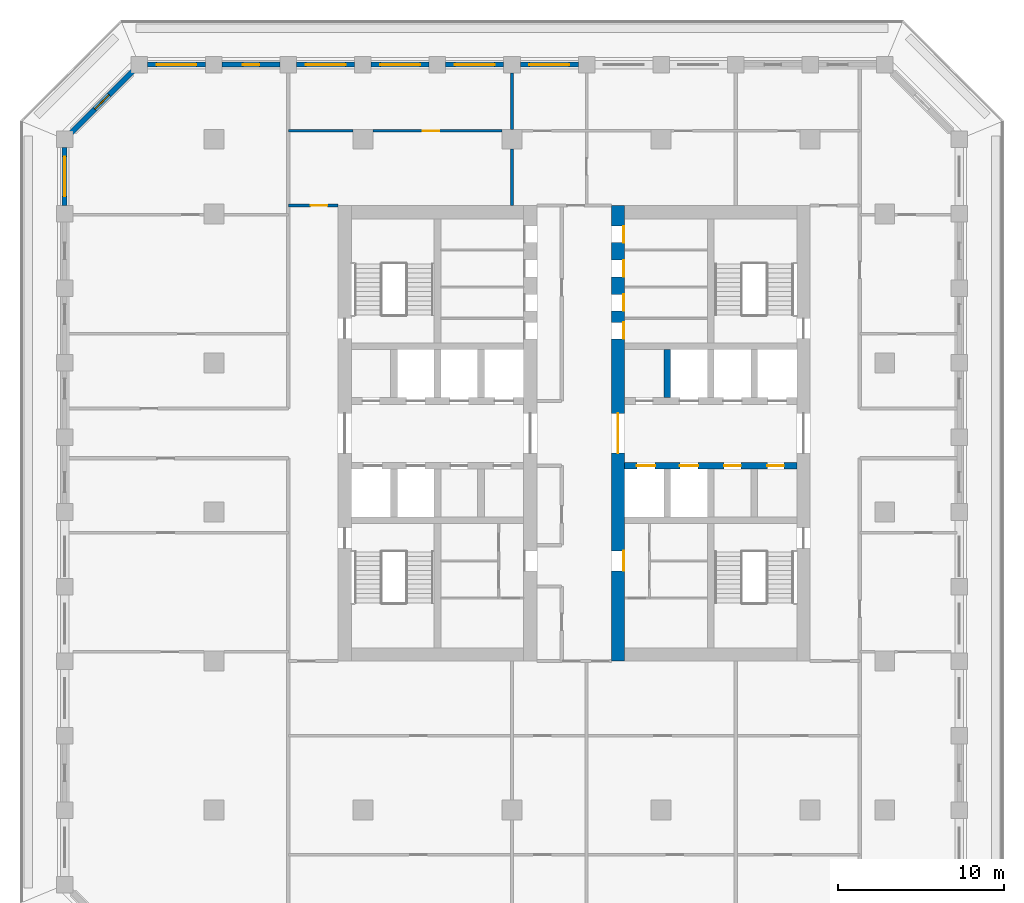
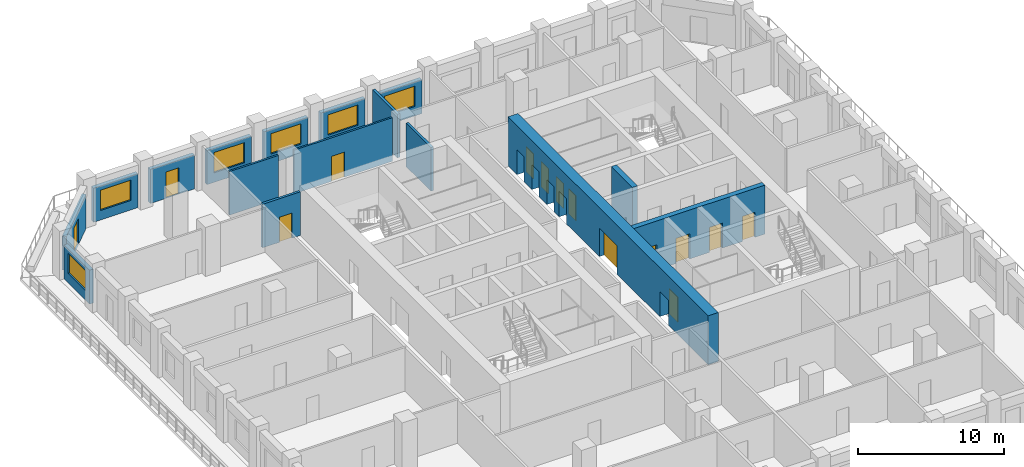
# One storey, part 6 of 16: 16 walls, 14 doors, 6 windows, 20 openings.
"""IFC4 building model written with IfcOpenShell, lengths in metres."""

from ifc_helpers import new_model, si_unit, direction, frame, frame_2d, origin, place, context, subcontext, project, spatial, rectangle, extrude, material, layer, layer_set, type_object, element, fill, save


model = new_model("IFC4")

# Units and contexts
model_context = context("Model", 3, precision=1e-05, world=origin(), true_north=direction((0.0, 1.0)))
body_context = subcontext(model_context, "Body", "Model", "MODEL_VIEW")
ifc_project = project(units=[si_unit("LENGTHUNIT", "METRE"), si_unit("AREAUNIT", "SQUARE_METRE"), si_unit("VOLUMEUNIT", "CUBIC_METRE"), si_unit("PLANEANGLEUNIT", "RADIAN"), si_unit("MASSUNIT", "GRAM", prefix="KILO")], contexts=[model_context])

# Site, building, storey
site_placement = place(None, origin())
site = spatial("IfcSite", under=ifc_project, at=site_placement, CompositionType="ELEMENT")
building_placement = place(site_placement, origin())
building = spatial("IfcBuilding", under=site, at=building_placement, Name="Corbel Stack Research Tower", CompositionType="ELEMENT")
storey_placement = place(building_placement, frame((0.0, 0.0, 160.89990234375)))
storey = spatial("IfcBuildingStorey", under=building, at=storey_placement, Name="L36", CompositionType="ELEMENT", Elevation=160.89990234375)

# Wall, openings, doors
ifc_material_1 = material(Name="Concrete C60/75", Category="concrete")
ifc_layer_1 = layer(ifc_material_1, 0.39990234375)
ifc_layer_set_1 = layer_set([ifc_layer_1], Name="Concrete C60/75")
wall_type_1 = type_object("IfcWallType", Name="CW-400-60", PredefinedType="SHEAR", material=ifc_layer_set_1)
wall_1_placement = place(storey_placement, frame((6.800048828125, 2.800048828125, 0.0), z_axis=(0.0, 0.0, 1.0), x_axis=(1.0, 0.0, 0.0)))
wall_1 = element("IfcWall", 1, at=wall_1_placement, inside=storey, type_object=wall_type_1, Name="East core wall, lobby south L36", PredefinedType="SHEAR", context=body_context, shape_type="SweptSolid", body=[
    extrude(rectangle(XDim=10.39990234375, YDim=0.39990234375, at=frame_2d((5.199951171875, 0.0))), origin(), (0.0, 0.0, 1.0), 4.10009765625),
])
opening_1_placement = place(wall_1_placement, frame((0.737548828125, 0.0, 0.0)))
opening_1 = element("IfcOpeningElement", 2, at=opening_1_placement, cuts=wall_1, Name="Opening LD-FS2", PredefinedType="OPENING", context=body_context, shape_type="SweptSolid", body=[
    extrude(rectangle(XDim=1.10009765625, YDim=2.10009765625, at=frame_2d((0.550048828125, 1.050048828125))), frame((0.0, 0.2099609375, 0.0), z_axis=(0.0, -1.0, 0.0), x_axis=(1.0, 0.0, 0.0)), (0.0, 0.0, 1.0), 0.419921875),
])
opening_2_placement = place(wall_1_placement, frame((3.33740234375, 0.0, 0.0)))
opening_2 = element("IfcOpeningElement", 3, at=opening_2_placement, cuts=wall_1, Name="Opening LD-GL2", PredefinedType="OPENING", context=body_context, shape_type="SweptSolid", body=[
    extrude(rectangle(XDim=1.10009765625, YDim=2.10009765625, at=frame_2d((0.550048828125, 1.050048828125))), frame((0.0, 0.2099609375, 0.0), z_axis=(0.0, -1.0, 0.0), x_axis=(1.0, 0.0, 0.0)), (0.0, 0.0, 1.0), 0.419921875),
])
opening_3_placement = place(wall_1_placement, frame((6.012451171875, 0.0, 0.0)))
opening_3 = element("IfcOpeningElement", 4, at=opening_3_placement, cuts=wall_1, Name="Opening CR-E66-S3", PredefinedType="OPENING", context=body_context, shape_type="SweptSolid", body=[
    extrude(rectangle(XDim=1.0, YDim=2.10009765625, at=frame_2d((0.5, 1.050048828125))), frame((0.0, 0.2099609375, 0.0), z_axis=(0.0, -1.0, 0.0), x_axis=(1.0, 0.0, 0.0)), (0.0, 0.0, 1.0), 0.419921875),
])
opening_4_placement = place(wall_1_placement, frame((8.612548828125, 0.0, 0.0)))
opening_4 = element("IfcOpeningElement", 5, at=opening_4_placement, cuts=wall_1, Name="Opening CR-E66-S4", PredefinedType="OPENING", context=body_context, shape_type="SweptSolid", body=[
    extrude(rectangle(XDim=1.0, YDim=2.10009765625, at=frame_2d((0.5, 1.050048828125))), frame((0.0, 0.2099609375, 0.0), z_axis=(0.0, -1.0, 0.0), x_axis=(1.0, 0.0, 0.0)), (0.0, 0.0, 1.0), 0.419921875),
])
ifc_material_2 = material(Name="Stainless steel landing door", Category="steel")
door_type_1 = type_object("IfcDoorType", Name="Lift landing door 1100 x 2100", OperationType="DOUBLE_DOOR_SLIDING", PredefinedType="DOOR", material=ifc_material_2)
door_1_placement = place(opening_1_placement, origin())
door_1 = element("IfcDoor", 6, at=door_1_placement, inside=storey, type_object=door_type_1, Name="Landing door FS2", OperationType="DOUBLE_DOOR_SLIDING", OverallHeight=2.10009765625, OverallWidth=1.10009765625, PredefinedType="DOOR", context=body_context, shape_type="SweptSolid", body=[
    extrude(rectangle(XDim=1.10009765625, YDim=2.10009765625, at=frame_2d((0.550048828125, 1.050048828125))), frame((0.0, 0.02490234375, 0.0), z_axis=(0.0, -1.0, 0.0), x_axis=(1.0, 0.0, 0.0)), (0.0, 0.0, 1.0), 0.050048828125),
])
fill(opening_1, door_1)
door_2_placement = place(opening_2_placement, origin())
door_2 = element("IfcDoor", 7, at=door_2_placement, inside=storey, type_object=door_type_1, Name="Landing door GL2", OperationType="DOUBLE_DOOR_SLIDING", OverallHeight=2.10009765625, OverallWidth=1.10009765625, PredefinedType="DOOR", context=body_context, shape_type="SweptSolid", body=[
    extrude(rectangle(XDim=1.10009765625, YDim=2.10009765625, at=frame_2d((0.550048828125, 1.050048828125))), frame((0.0, 0.02490234375, 0.0), z_axis=(0.0, -1.0, 0.0), x_axis=(1.0, 0.0, 0.0)), (0.0, 0.0, 1.0), 0.050048828125),
])
fill(opening_2, door_2)
ifc_material_3 = material(Name="Painted steel door", Category="steel")
door_type_2 = type_object("IfcDoorType", Name="Service door 1000 x 2100 FD60 left hand", OperationType="SINGLE_SWING_LEFT", PredefinedType="DOOR", material=ifc_material_3)
door_3_placement = place(opening_3_placement, origin())
door_3 = element("IfcDoor", 8, at=door_3_placement, inside=storey, type_object=door_type_2, Name="Vending bay door E core", OperationType="SINGLE_SWING_LEFT", OverallHeight=2.10009765625, OverallWidth=1.0, PredefinedType="DOOR", context=body_context, shape_type="SweptSolid", body=[
    extrude(rectangle(XDim=1.0, YDim=2.10009765625, at=frame_2d((0.5, 1.050048828125))), frame((0.0, 0.02490234375, 0.0), z_axis=(0.0, -1.0, 0.0), x_axis=(1.0, 0.0, 0.0)), (0.0, 0.0, 1.0), 0.050048828125),
])
fill(opening_3, door_3)
ifc_material_4 = material(Name="Painted steel door", Category="steel")
door_type_3 = type_object("IfcDoorType", Name="Service door 1000 x 2100 FD60 right hand", OperationType="SINGLE_SWING_RIGHT", PredefinedType="DOOR", material=ifc_material_4)
door_4_placement = place(opening_4_placement, origin())
door_4 = element("IfcDoor", 9, at=door_4_placement, inside=storey, type_object=door_type_3, Name="Mechanical room door E core", OperationType="SINGLE_SWING_RIGHT", OverallHeight=2.10009765625, OverallWidth=1.0, PredefinedType="DOOR", context=body_context, shape_type="SweptSolid", body=[
    extrude(rectangle(XDim=1.0, YDim=2.10009765625, at=frame_2d((0.5, 1.050048828125))), frame((0.0, 0.02490234375, 0.0), z_axis=(0.0, -1.0, 0.0), x_axis=(1.0, 0.0, 0.0)), (0.0, 0.0, 1.0), 0.050048828125),
])
fill(opening_4, door_4)

# Wall
wall_2_placement = place(storey_placement, frame((9.375, 6.89990234375, 0.0), z_axis=(0.0, 0.0, 1.0), x_axis=(0.0, 1.0, 0.0)))
element("IfcWall", 10, at=wall_2_placement, inside=storey, type_object=wall_type_1, Name="East core wall, north shaft 1 L36", PredefinedType="SHEAR", context=body_context, shape_type="SweptSolid", body=[
    extrude(rectangle(XDim=2.900146484375, YDim=0.39990234375, at=frame_2d((1.4501953125, 0.0))), origin(), (0.0, 0.0, 1.0), 4.10009765625),
])

# Wall, openings, doors
ifc_material_5 = material(Name="Concrete C60/75", Category="concrete")
ifc_layer_2 = layer(ifc_material_5, 0.800048828125)
ifc_layer_set_2 = layer_set([ifc_layer_2], Name="Concrete C60/75")
wall_type_2 = type_object("IfcWallType", Name="CW-800-60", PredefinedType="SHEAR", material=ifc_layer_set_2)
wall_3_placement = place(storey_placement, frame((6.39990234375, -9.0, 0.0), z_axis=(0.0, 0.0, 1.0), x_axis=(0.0, 1.0, 0.0)))
wall_3 = element("IfcWall", 11, at=wall_3_placement, inside=storey, type_object=wall_type_2, Name="East core wall, west face L36", PredefinedType="SHEAR", context=body_context, shape_type="SweptSolid", body=[
    extrude(rectangle(XDim=27.5, YDim=0.800048828125, at=frame_2d((13.75, 0.0))), origin(), (0.0, 0.0, 1.0), 4.10009765625),
])
opening_5_placement = place(wall_3_placement, frame((12.550048828125, 0.0, 0.0)))
opening_5 = element("IfcOpeningElement", 12, at=opening_5_placement, cuts=wall_3, Name="Opening CD-E-W", PredefinedType="OPENING", context=body_context, shape_type="SweptSolid", body=[
    extrude(rectangle(XDim=2.39990234375, YDim=2.39990234375, at=frame_2d((1.199951171875, 1.199951171875))), frame((0.0, 0.409912109375, 0.0), z_axis=(0.0, -1.0, 0.0), x_axis=(1.0, 0.0, 0.0)), (0.0, 0.0, 1.0), 0.820068359375),
])
opening_6_placement = place(wall_3_placement, frame((5.449951171875, 0.0, 0.0)))
opening_6 = element("IfcOpeningElement", 13, at=opening_6_placement, cuts=wall_3, Name="Opening CR-E66-W1-1200", PredefinedType="OPENING", context=body_context, shape_type="SweptSolid", body=[
    extrude(rectangle(XDim=1.199951171875, YDim=2.10009765625, at=frame_2d((0.60009765625, 1.050048828125))), frame((0.0, 0.409912109375, 0.0), z_axis=(0.0, -1.0, 0.0), x_axis=(1.0, 0.0, 0.0)), (0.0, 0.0, 1.0), 0.820068359375),
])
opening_7_placement = place(wall_3_placement, frame((19.449951171875, 0.0, 0.0)))
opening_7 = element("IfcOpeningElement", 14, at=opening_7_placement, cuts=wall_3, Name="Opening CR-E66-R1-1000", PredefinedType="OPENING", context=body_context, shape_type="SweptSolid", body=[
    extrude(rectangle(XDim=1.0, YDim=2.10009765625, at=frame_2d((0.5, 1.050048828125))), frame((0.0, 0.409912109375, 0.0), z_axis=(0.0, -1.0, 0.0), x_axis=(1.0, 0.0, 0.0)), (0.0, 0.0, 1.0), 0.820068359375),
])
opening_8_placement = place(wall_3_placement, frame((21.137451171875, 0.0, 0.0)))
opening_8 = element("IfcOpeningElement", 15, at=opening_8_placement, cuts=wall_3, Name="Opening CR-E66-R2-1000", PredefinedType="OPENING", context=body_context, shape_type="SweptSolid", body=[
    extrude(rectangle(XDim=1.0, YDim=2.10009765625, at=frame_2d((0.5, 1.050048828125))), frame((0.0, 0.409912109375, 0.0), z_axis=(0.0, -1.0, 0.0), x_axis=(1.0, 0.0, 0.0)), (0.0, 0.0, 1.0), 0.820068359375),
])
opening_9_placement = place(wall_3_placement, frame((23.199951171875, 0.0, 0.0)))
opening_9 = element("IfcOpeningElement", 16, at=opening_9_placement, cuts=wall_3, Name="Opening CR-E66-R3-1000", PredefinedType="OPENING", context=body_context, shape_type="SweptSolid", body=[
    extrude(rectangle(XDim=1.0, YDim=2.10009765625, at=frame_2d((0.5, 1.050048828125))), frame((0.0, 0.409912109375, 0.0), z_axis=(0.0, -1.0, 0.0), x_axis=(1.0, 0.0, 0.0)), (0.0, 0.0, 1.0), 0.820068359375),
])
opening_10_placement = place(wall_3_placement, frame((25.262451171875, 0.0, 0.0)))
opening_10 = element("IfcOpeningElement", 17, at=opening_10_placement, cuts=wall_3, Name="Opening CR-E66-R4-1000", PredefinedType="OPENING", context=body_context, shape_type="SweptSolid", body=[
    extrude(rectangle(XDim=1.0, YDim=2.10009765625, at=frame_2d((0.5, 1.050048828125))), frame((0.0, 0.409912109375, 0.0), z_axis=(0.0, -1.0, 0.0), x_axis=(1.0, 0.0, 0.0)), (0.0, 0.0, 1.0), 0.820068359375),
])
ifc_material_6 = material(Name="Painted steel fire door", Category="steel")
door_type_4 = type_object("IfcDoorType", Name="Lobby door pair 2400 x 2400 FD30S", OperationType="DOUBLE_DOOR_DOUBLE_SWING", PredefinedType="DOOR", material=ifc_material_6)
door_5_placement = place(opening_5_placement, origin())
door_5 = element("IfcDoor", 18, at=door_5_placement, inside=storey, type_object=door_type_4, Name="Lift lobby door E core W", OperationType="DOUBLE_DOOR_DOUBLE_SWING", OverallHeight=2.39990234375, OverallWidth=2.39990234375, PredefinedType="DOOR", context=body_context, shape_type="SweptSolid", body=[
    extrude(rectangle(XDim=2.39990234375, YDim=2.39990234375, at=frame_2d((1.199951171875, 1.199951171875))), frame((0.0, 0.02490234375, 0.0), z_axis=(0.0, -1.0, 0.0), x_axis=(1.0, 0.0, 0.0)), (0.0, 0.0, 1.0), 0.050048828125),
])
fill(opening_5, door_5)
ifc_material_7 = material(Name="Painted steel door", Category="steel")
door_type_5 = type_object("IfcDoorType", Name="Riser door 1000 x 2100 FD60 left hand", OperationType="SINGLE_SWING_LEFT", PredefinedType="DOOR", material=ifc_material_7)
door_6_placement = place(opening_8_placement, origin())
door_6 = element("IfcDoor", 19, at=door_6_placement, inside=storey, type_object=door_type_5, Name="Telecom room door E core", OperationType="SINGLE_SWING_LEFT", OverallHeight=2.10009765625, OverallWidth=1.0, PredefinedType="DOOR", context=body_context, shape_type="SweptSolid", body=[
    extrude(rectangle(XDim=1.0, YDim=2.10009765625, at=frame_2d((0.5, 1.050048828125))), frame((0.0, -0.3251953125, 0.0), z_axis=(0.0, -1.0, 0.0), x_axis=(1.0, 0.0, 0.0)), (0.0, 0.0, 1.0), 0.050048828125),
])
fill(opening_8, door_6)
ifc_material_8 = material(Name="Painted steel door", Category="steel")
door_type_6 = type_object("IfcDoorType", Name="Riser door 1000 x 2100 FD60 right hand", OperationType="SINGLE_SWING_RIGHT", PredefinedType="DOOR", material=ifc_material_8)
door_7_placement = place(opening_7_placement, origin())
door_7 = element("IfcDoor", 20, at=door_7_placement, inside=storey, type_object=door_type_6, Name="Electrical riser door E core", OperationType="SINGLE_SWING_RIGHT", OverallHeight=2.10009765625, OverallWidth=1.0, PredefinedType="DOOR", context=body_context, shape_type="SweptSolid", body=[
    extrude(rectangle(XDim=1.0, YDim=2.10009765625, at=frame_2d((0.5, 1.050048828125))), frame((0.0, -0.3251953125, 0.0), z_axis=(0.0, -1.0, 0.0), x_axis=(1.0, 0.0, 0.0)), (0.0, 0.0, 1.0), 0.050048828125),
])
fill(opening_7, door_7)
ifc_material_9 = material(Name="Painted steel door", Category="steel")
door_type_7 = type_object("IfcDoorType", Name="Service door 1000 x 2100 FD30 left hand", OperationType="SINGLE_SWING_LEFT", PredefinedType="DOOR", material=ifc_material_9)
door_8_placement = place(opening_10_placement, origin())
door_8 = element("IfcDoor", 21, at=door_8_placement, inside=storey, type_object=door_type_7, Name="Cleaner's store door E core", OperationType="SINGLE_SWING_LEFT", OverallHeight=2.10009765625, OverallWidth=1.0, PredefinedType="DOOR", context=body_context, shape_type="SweptSolid", body=[
    extrude(rectangle(XDim=1.0, YDim=2.10009765625, at=frame_2d((0.5, 1.050048828125))), frame((0.0, -0.3251953125, 0.0), z_axis=(0.0, -1.0, 0.0), x_axis=(1.0, 0.0, 0.0)), (0.0, 0.0, 1.0), 0.050048828125),
])
fill(opening_10, door_8)
ifc_material_10 = material(Name="Painted steel door", Category="steel")
door_type_8 = type_object("IfcDoorType", Name="Service door 1000 x 2100 FD30 right hand", OperationType="SINGLE_SWING_RIGHT", PredefinedType="DOOR", material=ifc_material_10)
door_9_placement = place(opening_9_placement, origin())
door_9 = element("IfcDoor", 22, at=door_9_placement, inside=storey, type_object=door_type_8, Name="Pantry door E core", OperationType="SINGLE_SWING_RIGHT", OverallHeight=2.10009765625, OverallWidth=1.0, PredefinedType="DOOR", context=body_context, shape_type="SweptSolid", body=[
    extrude(rectangle(XDim=1.0, YDim=2.10009765625, at=frame_2d((0.5, 1.050048828125))), frame((0.0, -0.3251953125, 0.0), z_axis=(0.0, -1.0, 0.0), x_axis=(1.0, 0.0, 0.0)), (0.0, 0.0, 1.0), 0.050048828125),
])
fill(opening_9, door_9)
ifc_material_11 = material(Name="Painted timber door", Category="wood")
door_type_9 = type_object("IfcDoorType", Name="WC door 1200 x 2100 right hand", OperationType="SINGLE_SWING_RIGHT", PredefinedType="DOOR", material=ifc_material_11)
door_10_placement = place(opening_6_placement, origin())
door_10 = element("IfcDoor", 23, at=door_10_placement, inside=storey, type_object=door_type_9, Name="WC lobby door E core", OperationType="SINGLE_SWING_RIGHT", OverallHeight=2.10009765625, OverallWidth=1.199951171875, PredefinedType="DOOR", context=body_context, shape_type="SweptSolid", body=[
    extrude(rectangle(XDim=1.199951171875, YDim=2.10009765625, at=frame_2d((0.60009765625, 1.050048828125))), frame((0.0, -0.3251953125, 0.0), z_axis=(0.0, -1.0, 0.0), x_axis=(1.0, 0.0, 0.0)), (0.0, 0.0, 1.0), 0.050048828125),
])
fill(opening_6, door_10)

# Walls
ifc_material_12 = material(Name="Fire-rated gypsum board partition on steel studs", Category="steel")
ifc_layer_3 = layer(ifc_material_12, 0.199951171875)
ifc_layer_set_3 = layer_set([ifc_layer_3], Name="Fire-rated gypsum board partition on steel studs")
wall_type_3 = type_object("IfcWallType", Name="Fire-rated partition 200 EI 60", PredefinedType="PARTITIONING", material=ifc_layer_set_3)
for number, where, z_axis, x_axis, name in (
    (24, (0.0, 18.5, 0.0), (0.0, 0.0, 1.0), (0.0, 1.0, 0.0), "Partition L36-005"),
    (25, (0.0, 23.10009765625, 0.0), (0.0, 0.0, 1.0), (0.0, 1.0, 0.0), "Partition L36-006"),
):
    element("IfcWall", number, at=place(storey_placement, frame(where, z_axis=z_axis, x_axis=x_axis)), inside=storey, type_object=wall_type_3, Name=name, PredefinedType="PARTITIONING", context=body_context, shape_type="SweptSolid", body=[
        extrude(rectangle(XDim=3.39990234375, YDim=0.199951171875, at=frame_2d((1.699951171875, 0.0))), origin(), (0.0, 0.0, 1.0), 3.650146484375),
    ])

# Wall, opening, door
wall_4_placement = place(storey_placement, frame((-13.5, 18.5, 0.0), z_axis=(0.0, 0.0, 1.0), x_axis=(1.0, 0.0, 0.0)))
wall_4 = element("IfcWall", 26, at=wall_4_placement, inside=storey, type_object=wall_type_3, Name="Partition L36-041", PredefinedType="PARTITIONING", context=body_context, shape_type="SweptSolid", body=[
    extrude(rectangle(XDim=3.0, YDim=0.199951171875, at=frame_2d((1.5, 0.0))), origin(), (0.0, 0.0, 1.0), 3.650146484375),
])
opening_11_placement = place(wall_4_placement, frame((1.35009765625, 0.0, 0.0)))
opening_11 = element("IfcOpeningElement", 27, at=opening_11_placement, cuts=wall_4, Name="Opening B5V0-027", PredefinedType="OPENING", context=body_context, shape_type="SweptSolid", body=[
    extrude(rectangle(XDim=1.0, YDim=2.10009765625, at=frame_2d((0.5, 1.050048828125))), frame((0.0, 0.10986328125, 0.0), z_axis=(0.0, -1.0, 0.0), x_axis=(1.0, 0.0, 0.0)), (0.0, 0.0, 1.0), 0.219970703125),
])
ifc_material_13 = material(Name="Painted steel fire door", Category="steel")
door_type_10 = type_object("IfcDoorType", Name="Fire door FD30S 1000 x 2100", OperationType="NOTDEFINED", PredefinedType="DOOR", material=ifc_material_13)
door_11_placement = place(opening_11_placement, origin())
door_11 = element("IfcDoor", 28, at=door_11_placement, inside=storey, type_object=door_type_10, Name="Door B5V0-027", OperationType="SINGLE_SWING_RIGHT", OverallHeight=2.10009765625, OverallWidth=1.0, PredefinedType="DOOR", context=body_context, shape_type="SweptSolid", body=[
    extrude(rectangle(XDim=1.0, YDim=2.10009765625, at=frame_2d((0.5, 1.050048828125))), frame((0.0, 0.02490234375, 0.0), z_axis=(0.0, -1.0, 0.0), x_axis=(1.0, 0.0, 0.0)), (0.0, 0.0, 1.0), 0.050048828125),
])
fill(opening_11, door_11)

# Wall
ifc_material_14 = material(Name="Gypsum board partition on steel studs", Category="steel")
ifc_layer_4 = layer(ifc_material_14, 0.14990234375)
ifc_layer_set_4 = layer_set([ifc_layer_4], Name="Gypsum board partition on steel studs")
wall_type_4 = type_object("IfcWallType", Name="Partition 150", PredefinedType="PARTITIONING", material=ifc_layer_set_4)
wall_5_placement = place(storey_placement, frame((-13.5, 23.0, 0.0), z_axis=(0.0, 0.0, 1.0), x_axis=(1.0, 0.0, 0.0)))
element("IfcWall", 29, at=wall_5_placement, inside=storey, type_object=wall_type_4, Name="Partition L36-044", PredefinedType="PARTITIONING", context=body_context, shape_type="SweptSolid", body=[
    extrude(rectangle(XDim=3.89990234375, YDim=0.14990234375, at=frame_2d((1.949951171875, 0.0))), origin(), (0.0, 0.0, 1.0), 3.650146484375),
])

# Wall, opening, door
wall_6_placement = place(storey_placement, frame((-8.39990234375, 23.0, 0.0), z_axis=(0.0, 0.0, 1.0), x_axis=(1.0, 0.0, 0.0)))
wall_6 = element("IfcWall", 30, at=wall_6_placement, inside=storey, type_object=wall_type_4, Name="Partition L36-045", PredefinedType="PARTITIONING", context=body_context, shape_type="SweptSolid", body=[
    extrude(rectangle(XDim=7.7998046875, YDim=0.14990234375, at=frame_2d((3.89990234375, 0.0))), origin(), (0.0, 0.0, 1.0), 3.650146484375),
])
opening_12_placement = place(wall_6_placement, frame((3.0, 0.0, 0.0)))
opening_12 = element("IfcOpeningElement", 31, at=opening_12_placement, cuts=wall_6, Name="Opening B5V0-032", PredefinedType="OPENING", context=body_context, shape_type="SweptSolid", body=[
    extrude(rectangle(XDim=1.0, YDim=2.10009765625, at=frame_2d((0.5, 1.050048828125))), frame((0.0, 0.0849609375, 0.0), z_axis=(0.0, -1.0, 0.0), x_axis=(1.0, 0.0, 0.0)), (0.0, 0.0, 1.0), 0.169921875),
])
ifc_material_15 = material(Name="Painted timber door", Category="wood")
door_type_11 = type_object("IfcDoorType", Name="Single door 1000 x 2100", OperationType="NOTDEFINED", PredefinedType="DOOR", material=ifc_material_15)
door_12_placement = place(opening_12_placement, origin())
door_12 = element("IfcDoor", 32, at=door_12_placement, inside=storey, type_object=door_type_11, Name="Door B5V0-032", OperationType="SINGLE_SWING_LEFT", OverallHeight=2.10009765625, OverallWidth=1.0, PredefinedType="DOOR", context=body_context, shape_type="SweptSolid", body=[
    extrude(rectangle(XDim=1.0, YDim=2.10009765625, at=frame_2d((0.5, 1.050048828125))), frame((0.0, 0.02490234375, 0.0), z_axis=(0.0, -1.0, 0.0), x_axis=(1.0, 0.0, 0.0)), (0.0, 0.0, 1.0), 0.050048828125),
])
fill(opening_12, door_12)

# Wall, opening, window
ifc_material_16 = material(Name="Concrete C45/55", Category="concrete")
ifc_layer_5 = layer(ifc_material_16, 0.300048828125)
ifc_layer_set_5 = layer_set([ifc_layer_5], Name="Concrete C45/55")
wall_type_5 = type_object("IfcWallType", Name="Terracotta-faced concrete wall 300", PredefinedType="SOLIDWALL", material=ifc_layer_set_5)
wall_7_placement = place(storey_placement, frame((0.5, 27.0, 0.0), z_axis=(0.0, 0.0, 1.0), x_axis=(1.0, 0.0, 0.0)))
wall_7 = element("IfcWall", 33, at=wall_7_placement, inside=storey, type_object=wall_type_5, Name="Facade wall L36 N05", PredefinedType="SOLIDWALL", context=body_context, shape_type="SweptSolid", body=[
    extrude(rectangle(XDim=3.5, YDim=0.300048828125, at=frame_2d((1.75, 0.0))), origin(), (0.0, 0.0, 1.0), 2.85009765625),
])
opening_13_placement = place(wall_7_placement, frame((0.550048828125, 0.0, 0.800048828125)))
opening_13 = element("IfcOpeningElement", 34, at=opening_13_placement, cuts=wall_7, Name="Opening W1", PredefinedType="OPENING", context=body_context, shape_type="SweptSolid", body=[
    extrude(rectangle(XDim=2.39990234375, YDim=1.699951171875, at=frame_2d((1.199951171875, 0.85009765625))), frame((0.0, 0.159912109375, 0.0), z_axis=(0.0, -1.0, 0.0), x_axis=(1.0, 0.0, 0.0)), (0.0, 0.0, 1.0), 0.320068359375),
])
ifc_material_17 = material(Name="Aluminium frame, clear double glazing", Category="aluminium")
window_type = type_object("IfcWindowType", Name="Window W1 2400 x 1700", PartitioningType="SINGLE_PANEL", PredefinedType="WINDOW", material=ifc_material_17)
window_1_placement = place(opening_13_placement, origin())
window_1 = element("IfcWindow", 35, at=window_1_placement, inside=storey, type_object=window_type, Name="Window W1 L36 N05", OverallHeight=1.699951171875, OverallWidth=2.39990234375, PartitioningType="SINGLE_PANEL", PredefinedType="WINDOW", context=body_context, shape_type="SweptSolid", body=[
    extrude(rectangle(XDim=2.39990234375, YDim=1.699951171875, at=frame_2d((1.199951171875, 0.85009765625))), frame((0.0, 0.030029296875, 0.0), z_axis=(0.0, -1.0, 0.0), x_axis=(1.0, 0.0, 0.0)), (0.0, 0.0, 1.0), 0.06005859375),
])
fill(opening_13, window_1)

wall_8_placement = place(storey_placement, frame((-4.0, 27.0, 0.0), z_axis=(0.0, 0.0, 1.0), x_axis=(1.0, 0.0, 0.0)))
wall_8 = element("IfcWall", 36, at=wall_8_placement, inside=storey, type_object=wall_type_5, Name="Facade wall L36 N06", PredefinedType="SOLIDWALL", context=body_context, shape_type="SweptSolid", body=[
    extrude(rectangle(XDim=3.5, YDim=0.300048828125, at=frame_2d((1.75, 0.0))), origin(), (0.0, 0.0, 1.0), 2.85009765625),
])
opening_14_placement = place(wall_8_placement, frame((0.550048828125, 0.0, 0.800048828125)))
opening_14 = element("IfcOpeningElement", 37, at=opening_14_placement, cuts=wall_8, Name="Opening W1", PredefinedType="OPENING", context=body_context, shape_type="SweptSolid", body=[
    extrude(rectangle(XDim=2.39990234375, YDim=1.699951171875, at=frame_2d((1.199951171875, 0.85009765625))), frame((0.0, 0.159912109375, 0.0), z_axis=(0.0, -1.0, 0.0), x_axis=(1.0, 0.0, 0.0)), (0.0, 0.0, 1.0), 0.320068359375),
])
window_2_placement = place(opening_14_placement, origin())
window_2 = element("IfcWindow", 38, at=window_2_placement, inside=storey, type_object=window_type, Name="Window W1 L36 N06", OverallHeight=1.699951171875, OverallWidth=2.39990234375, PartitioningType="SINGLE_PANEL", PredefinedType="WINDOW", context=body_context, shape_type="SweptSolid", body=[
    extrude(rectangle(XDim=2.39990234375, YDim=1.699951171875, at=frame_2d((1.199951171875, 0.85009765625))), frame((0.0, 0.030029296875, 0.0), z_axis=(0.0, -1.0, 0.0), x_axis=(1.0, 0.0, 0.0)), (0.0, 0.0, 1.0), 0.06005859375),
])
fill(opening_14, window_2)

wall_9_placement = place(storey_placement, frame((-8.5, 27.0, 0.0), z_axis=(0.0, 0.0, 1.0), x_axis=(1.0, 0.0, 0.0)))
wall_9 = element("IfcWall", 39, at=wall_9_placement, inside=storey, type_object=wall_type_5, Name="Facade wall L36 N07", PredefinedType="SOLIDWALL", context=body_context, shape_type="SweptSolid", body=[
    extrude(rectangle(XDim=3.5, YDim=0.300048828125, at=frame_2d((1.75, 0.0))), origin(), (0.0, 0.0, 1.0), 2.85009765625),
])
opening_15_placement = place(wall_9_placement, frame((0.550048828125, 0.0, 0.800048828125)))
opening_15 = element("IfcOpeningElement", 40, at=opening_15_placement, cuts=wall_9, Name="Opening W1", PredefinedType="OPENING", context=body_context, shape_type="SweptSolid", body=[
    extrude(rectangle(XDim=2.39990234375, YDim=1.699951171875, at=frame_2d((1.199951171875, 0.85009765625))), frame((0.0, 0.159912109375, 0.0), z_axis=(0.0, -1.0, 0.0), x_axis=(1.0, 0.0, 0.0)), (0.0, 0.0, 1.0), 0.320068359375),
])
window_3_placement = place(opening_15_placement, origin())
window_3 = element("IfcWindow", 41, at=window_3_placement, inside=storey, type_object=window_type, Name="Window W1 L36 N07", OverallHeight=1.699951171875, OverallWidth=2.39990234375, PartitioningType="SINGLE_PANEL", PredefinedType="WINDOW", context=body_context, shape_type="SweptSolid", body=[
    extrude(rectangle(XDim=2.39990234375, YDim=1.699951171875, at=frame_2d((1.199951171875, 0.85009765625))), frame((0.0, 0.030029296875, 0.0), z_axis=(0.0, -1.0, 0.0), x_axis=(1.0, 0.0, 0.0)), (0.0, 0.0, 1.0), 0.06005859375),
])
fill(opening_15, window_3)

wall_10_placement = place(storey_placement, frame((-13.0, 27.0, 0.0), z_axis=(0.0, 0.0, 1.0), x_axis=(1.0, 0.0, 0.0)))
wall_10 = element("IfcWall", 42, at=wall_10_placement, inside=storey, type_object=wall_type_5, Name="Facade wall L36 N08", PredefinedType="SOLIDWALL", context=body_context, shape_type="SweptSolid", body=[
    extrude(rectangle(XDim=3.5, YDim=0.300048828125, at=frame_2d((1.75, 0.0))), origin(), (0.0, 0.0, 1.0), 2.85009765625),
])
opening_16_placement = place(wall_10_placement, frame((0.550048828125, 0.0, 0.800048828125)))
opening_16 = element("IfcOpeningElement", 43, at=opening_16_placement, cuts=wall_10, Name="Opening W1", PredefinedType="OPENING", context=body_context, shape_type="SweptSolid", body=[
    extrude(rectangle(XDim=2.39990234375, YDim=1.699951171875, at=frame_2d((1.199951171875, 0.85009765625))), frame((0.0, 0.159912109375, 0.0), z_axis=(0.0, -1.0, 0.0), x_axis=(1.0, 0.0, 0.0)), (0.0, 0.0, 1.0), 0.320068359375),
])
window_4_placement = place(opening_16_placement, origin())
window_4 = element("IfcWindow", 44, at=window_4_placement, inside=storey, type_object=window_type, Name="Window W1 L36 N08", OverallHeight=1.699951171875, OverallWidth=2.39990234375, PartitioningType="SINGLE_PANEL", PredefinedType="WINDOW", context=body_context, shape_type="SweptSolid", body=[
    extrude(rectangle(XDim=2.39990234375, YDim=1.699951171875, at=frame_2d((1.199951171875, 0.85009765625))), frame((0.0, 0.030029296875, 0.0), z_axis=(0.0, -1.0, 0.0), x_axis=(1.0, 0.0, 0.0)), (0.0, 0.0, 1.0), 0.06005859375),
])
fill(opening_16, window_4)

# Wall, opening, door
wall_11_placement = place(storey_placement, frame((-17.5, 27.0, 0.0), z_axis=(0.0, 0.0, 1.0), x_axis=(1.0, 0.0, 0.0)))
wall_11 = element("IfcWall", 45, at=wall_11_placement, inside=storey, type_object=wall_type_5, Name="Facade wall L36 N09", PredefinedType="SOLIDWALL", context=body_context, shape_type="SweptSolid", body=[
    extrude(rectangle(XDim=3.5, YDim=0.300048828125, at=frame_2d((1.75, 0.0))), origin(), (0.0, 0.0, 1.0), 2.85009765625),
])
opening_17_placement = place(wall_11_placement, frame((1.25, 0.0, 0.0)))
opening_17 = element("IfcOpeningElement", 46, at=opening_17_placement, cuts=wall_11, Name="Opening L36-B08", PredefinedType="OPENING", context=body_context, shape_type="SweptSolid", body=[
    extrude(rectangle(XDim=1.0, YDim=2.199951171875, at=frame_2d((0.5, 1.10009765625))), frame((0.0, 0.159912109375, 0.0), z_axis=(0.0, -1.0, 0.0), x_axis=(1.0, 0.0, 0.0)), (0.0, 0.0, 1.0), 0.320068359375),
])
ifc_material_18 = material(Name="Aluminium frame, clear double glazing", Category="aluminium")
door_type_12 = type_object("IfcDoorType", Name="Balcony door BD1 1000 x 2200", OperationType="NOTDEFINED", PredefinedType="DOOR", material=ifc_material_18)
door_13_placement = place(opening_17_placement, origin())
door_13 = element("IfcDoor", 47, at=door_13_placement, inside=storey, type_object=door_type_12, Name="Balcony door L36-B08", OperationType="SINGLE_SWING_LEFT", OverallHeight=2.199951171875, OverallWidth=1.0, PredefinedType="DOOR", context=body_context, shape_type="SweptSolid", body=[
    extrude(rectangle(XDim=1.0, YDim=2.199951171875, at=frame_2d((0.5, 1.10009765625))), frame((0.0, 0.02490234375, 0.0), z_axis=(0.0, -1.0, 0.0), x_axis=(1.0, 0.0, 0.0)), (0.0, 0.0, 1.0), 0.050048828125),
])
fill(opening_17, door_13)

# Wall, opening, window
wall_12_placement = place(storey_placement, frame((-22.0, 27.0, 0.0), z_axis=(0.0, 0.0, 1.0), x_axis=(1.0, 0.0, 0.0)))
wall_12 = element("IfcWall", 48, at=wall_12_placement, inside=storey, type_object=wall_type_5, Name="Facade wall L36 N10", PredefinedType="SOLIDWALL", context=body_context, shape_type="SweptSolid", body=[
    extrude(rectangle(XDim=3.5, YDim=0.300048828125, at=frame_2d((1.75, 0.0))), origin(), (0.0, 0.0, 1.0), 2.85009765625),
])
opening_18_placement = place(wall_12_placement, frame((0.550048828125, 0.0, 0.800048828125)))
opening_18 = element("IfcOpeningElement", 49, at=opening_18_placement, cuts=wall_12, Name="Opening W1", PredefinedType="OPENING", context=body_context, shape_type="SweptSolid", body=[
    extrude(rectangle(XDim=2.39990234375, YDim=1.699951171875, at=frame_2d((1.199951171875, 0.85009765625))), frame((0.0, 0.159912109375, 0.0), z_axis=(0.0, -1.0, 0.0), x_axis=(1.0, 0.0, 0.0)), (0.0, 0.0, 1.0), 0.320068359375),
])
window_5_placement = place(opening_18_placement, origin())
window_5 = element("IfcWindow", 50, at=window_5_placement, inside=storey, type_object=window_type, Name="Window W1 L36 N10", OverallHeight=1.699951171875, OverallWidth=2.39990234375, PartitioningType="SINGLE_PANEL", PredefinedType="WINDOW", context=body_context, shape_type="SweptSolid", body=[
    extrude(rectangle(XDim=2.39990234375, YDim=1.699951171875, at=frame_2d((1.199951171875, 0.85009765625))), frame((0.0, 0.030029296875, 0.0), z_axis=(0.0, -1.0, 0.0), x_axis=(1.0, 0.0, 0.0)), (0.0, 0.0, 1.0), 0.06005859375),
])
fill(opening_18, window_5)

# Wall, opening, door
wall_13_placement = place(storey_placement, frame((-26.606201171875, 22.893798828125, 0.0), z_axis=(0.0, 0.0, 1.0), x_axis=(0.707106781187, 0.707106781187, 0.0)))
wall_13 = element("IfcWall", 51, at=wall_13_placement, inside=storey, type_object=wall_type_5, Name="Facade wall L36 NW01", PredefinedType="SOLIDWALL", context=body_context, shape_type="SweptSolid", body=[
    extrude(rectangle(XDim=5.250244140625, YDim=0.300048828125, at=frame_2d((2.625, 0.0))), origin(), (0.0, 0.0, 1.0), 2.85009765625),
])
opening_19_placement = place(wall_13_placement, frame((2.02490234375, 0.0, 0.0)))
opening_19 = element("IfcOpeningElement", 52, at=opening_19_placement, cuts=wall_13, Name="Opening L36-B09", PredefinedType="OPENING", context=body_context, shape_type="SweptSolid", body=[
    extrude(rectangle(XDim=1.199951171875, YDim=2.199951171875, at=frame_2d((0.60009765625, 1.10009765625))), frame((0.0, 0.159912109375, 0.0), z_axis=(0.0, -1.0, 0.0), x_axis=(1.0, 0.0, 0.0)), (0.0, 0.0, 1.0), 0.320068359375),
])
ifc_material_19 = material(Name="Aluminium frame, clear double glazing", Category="aluminium")
door_type_13 = type_object("IfcDoorType", Name="Balcony door BD2 1200 x 2200", OperationType="NOTDEFINED", PredefinedType="DOOR", material=ifc_material_19)
door_14_placement = place(opening_19_placement, origin())
door_14 = element("IfcDoor", 53, at=door_14_placement, inside=storey, type_object=door_type_13, Name="Balcony door L36-B09", OperationType="SINGLE_SWING_LEFT", OverallHeight=2.199951171875, OverallWidth=1.199951171875, PredefinedType="DOOR", context=body_context, shape_type="SweptSolid", body=[
    extrude(rectangle(XDim=1.199951171875, YDim=2.199951171875, at=frame_2d((0.60009765625, 1.10009765625))), frame((0.0, 0.02490234375, 0.0), z_axis=(0.0, -1.0, 0.0), x_axis=(1.0, 0.0, 0.0)), (0.0, 0.0, 1.0), 0.050048828125),
])
fill(opening_19, door_14)

# Wall, opening, window
wall_14_placement = place(storey_placement, frame((-27.0, 18.5, 0.0), z_axis=(0.0, 0.0, 1.0), x_axis=(0.0, 1.0, 0.0)))
wall_14 = element("IfcWall", 54, at=wall_14_placement, inside=storey, type_object=wall_type_5, Name="Facade wall L36 W01", PredefinedType="SOLIDWALL", context=body_context, shape_type="SweptSolid", body=[
    extrude(rectangle(XDim=3.5, YDim=0.300048828125, at=frame_2d((1.75, 0.0))), origin(), (0.0, 0.0, 1.0), 2.85009765625),
])
opening_20_placement = place(wall_14_placement, frame((0.550048828125, 0.0, 0.800048828125)))
opening_20 = element("IfcOpeningElement", 55, at=opening_20_placement, cuts=wall_14, Name="Opening W1", PredefinedType="OPENING", context=body_context, shape_type="SweptSolid", body=[
    extrude(rectangle(XDim=2.39990234375, YDim=1.699951171875, at=frame_2d((1.199951171875, 0.85009765625))), frame((0.0, 0.159912109375, 0.0), z_axis=(0.0, -1.0, 0.0), x_axis=(1.0, 0.0, 0.0)), (0.0, 0.0, 1.0), 0.320068359375),
])
window_6_placement = place(opening_20_placement, origin())
window_6 = element("IfcWindow", 56, at=window_6_placement, inside=storey, type_object=window_type, Name="Window W1 L36 W01", OverallHeight=1.699951171875, OverallWidth=2.39990234375, PartitioningType="SINGLE_PANEL", PredefinedType="WINDOW", context=body_context, shape_type="SweptSolid", body=[
    extrude(rectangle(XDim=2.39990234375, YDim=1.699951171875, at=frame_2d((1.199951171875, 0.85009765625))), frame((0.0, 0.030029296875, 0.0), z_axis=(0.0, -1.0, 0.0), x_axis=(1.0, 0.0, 0.0)), (0.0, 0.0, 1.0), 0.06005859375),
])
fill(opening_20, window_6)

save(model, "model.ifc")
